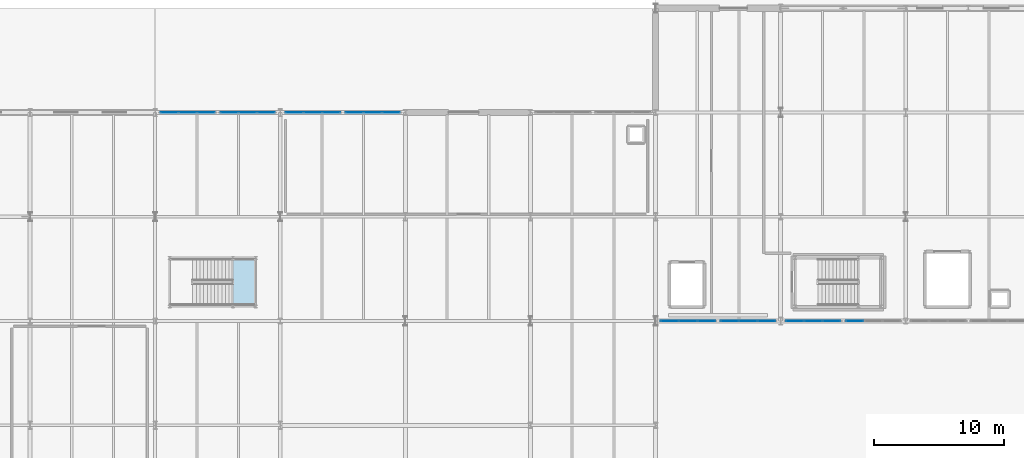
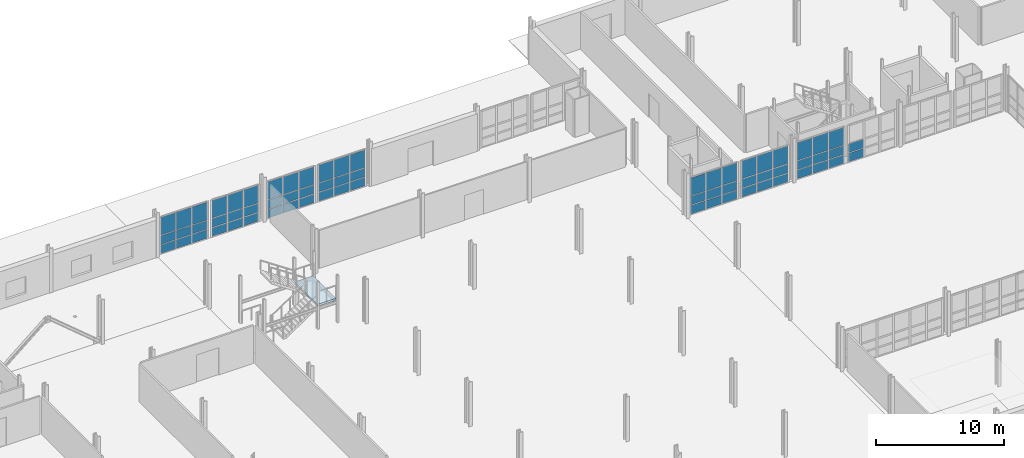
# One storey, part 50 of 78: 65 plates, 1 slab, 9 elements without a shape of their own.
"""IFC4 building model written with IfcOpenShell, lengths in metres."""

from ifc_helpers import new_model, si_unit, direction, frame, origin, origin_2d, place, context, subcontext, project, spatial, polyline, rectangle, outline, extrude, material, layer, layer_set, type_object, element, aggregate, save


model = new_model("IFC4")

# Units and contexts
model_context = context("Model", 3, precision=1e-05, world=origin(), true_north=direction((0.0, 1.0)))
body_context = subcontext(model_context, "Body", "Model", "MODEL_VIEW")
ifc_project = project(units=[si_unit("LENGTHUNIT", "METRE"), si_unit("AREAUNIT", "SQUARE_METRE"), si_unit("VOLUMEUNIT", "CUBIC_METRE"), si_unit("PLANEANGLEUNIT", "RADIAN"), si_unit("MASSUNIT", "GRAM", prefix="KILO")], contexts=[model_context])

# Site, building, storey
site_placement = place(None, origin())
site = spatial("IfcSite", under=ifc_project, at=site_placement, CompositionType="ELEMENT")
building_placement = place(site_placement, origin())
building = spatial("IfcBuilding", under=site, at=building_placement, Name="Alderhovde Museum", CompositionType="ELEMENT")
storey_placement = place(building_placement, origin())
storey = spatial("IfcBuildingStorey", under=building, at=storey_placement, Name="L00", CompositionType="ELEMENT", Elevation=0.0)

# Curtain wall, plates
ifc_material_1 = material(Name="Triple-Glazed Bronze-Anodised Curtain Wall", Category="glass")
ifc_layer_1 = layer(ifc_material_1, 0.179931640625)
ifc_layer_set_1 = layer_set([ifc_layer_1], Name="Triple-Glazed Bronze-Anodised Curtain Wall")
curtain_wall_type_1 = type_object("IfcCurtainWallType", Name="CW-UNIT-430x356", PredefinedType="USERDEFINED", material=ifc_layer_set_1)
curtain_wall_1_placement = place(storey_placement, origin())
curtain_wall_1 = element("IfcCurtainWall", 1, at=curtain_wall_1_placement, inside=storey, type_object=curtain_wall_type_1, Name="L00 Unitised Curtain Wall 12", ObjectType="UNITISED CURTAIN WALL", PredefinedType="USERDEFINED")
ifc_material_2 = material(Name="Triple-Glazed Low-E Laminated Glass", Category="glass")
ifc_layer_2 = layer(ifc_material_2, 0.028076171875)
ifc_layer_set_2 = layer_set([ifc_layer_2], Name="Triple-Glazed Low-E Laminated Glass")
plate_type_1 = type_object("IfcPlateType", Name="CWP-GLAZ-28", PredefinedType="CURTAIN_PANEL", material=ifc_layer_set_2)
plate_1_placement = place(storey_placement, frame((82.48291015625, 88.0, 0.06494140625), z_axis=(0.0, 0.0, 1.0), x_axis=(1.0, 0.0, 0.0)))
plate_1 = element("IfcPlate", 2, at=plate_1_placement, type_object=plate_type_1, Name="CW07 panel 1.1", PredefinedType="CURTAIN_PANEL", context=body_context, shape_type="SweptSolid", body=[
    extrude(rectangle(XDim=1.3359375, YDim=0.028076171875, at=origin_2d()), origin(), (0.0, 0.0, 1.0), 0.802490234375),
])
plate_2_placement = place(storey_placement, frame((82.48291015625, 88.0, 0.9326171875), z_axis=(0.0, 0.0, 1.0), x_axis=(1.0, 0.0, 0.0)))
plate_2 = element("IfcPlate", 3, at=plate_2_placement, type_object=plate_type_1, Name="CW07 panel 1.2", PredefinedType="CURTAIN_PANEL", context=body_context, shape_type="SweptSolid", body=[
    extrude(rectangle(XDim=1.3359375, YDim=0.028076171875, at=origin_2d()), origin(), (0.0, 0.0, 1.0), 0.81494140625),
])
plate_3_placement = place(storey_placement, frame((82.48291015625, 88.0, 1.8125), z_axis=(0.0, 0.0, 1.0), x_axis=(1.0, 0.0, 0.0)))
plate_3 = element("IfcPlate", 4, at=plate_3_placement, type_object=plate_type_1, Name="CW07 panel 1.3", PredefinedType="CURTAIN_PANEL", context=body_context, shape_type="SweptSolid", body=[
    extrude(rectangle(XDim=1.3359375, YDim=0.028076171875, at=origin_2d()), origin(), (0.0, 0.0, 1.0), 1.6826171875),
])
plate_4_placement = place(storey_placement, frame((83.89990234375, 88.0, 0.06494140625), z_axis=(0.0, 0.0, 1.0), x_axis=(1.0, 0.0, 0.0)))
plate_4 = element("IfcPlate", 5, at=plate_4_placement, type_object=plate_type_1, Name="CW07 panel 2.1", PredefinedType="CURTAIN_PANEL", context=body_context, shape_type="SweptSolid", body=[
    extrude(rectangle(XDim=1.368408203125, YDim=0.028076171875, at=origin_2d()), origin(), (0.0, 0.0, 1.0), 0.802490234375),
])
plate_5_placement = place(storey_placement, frame((83.89990234375, 88.0, 0.9326171875), z_axis=(0.0, 0.0, 1.0), x_axis=(1.0, 0.0, 0.0)))
plate_5 = element("IfcPlate", 6, at=plate_5_placement, type_object=plate_type_1, Name="CW07 panel 2.2", PredefinedType="CURTAIN_PANEL", context=body_context, shape_type="SweptSolid", body=[
    extrude(rectangle(XDim=1.368408203125, YDim=0.028076171875, at=origin_2d()), origin(), (0.0, 0.0, 1.0), 0.81494140625),
])
plate_6_placement = place(storey_placement, frame((83.89990234375, 88.0, 1.8125), z_axis=(0.0, 0.0, 1.0), x_axis=(1.0, 0.0, 0.0)))
plate_6 = element("IfcPlate", 7, at=plate_6_placement, type_object=plate_type_1, Name="CW07 panel 2.3", PredefinedType="CURTAIN_PANEL", context=body_context, shape_type="SweptSolid", body=[
    extrude(rectangle(XDim=1.368408203125, YDim=0.028076171875, at=origin_2d()), origin(), (0.0, 0.0, 1.0), 1.6826171875),
])
plate_7_placement = place(storey_placement, frame((85.317138671875, 88.0, 0.06494140625), z_axis=(0.0, 0.0, 1.0), x_axis=(1.0, 0.0, 0.0)))
plate_7 = element("IfcPlate", 8, at=plate_7_placement, type_object=plate_type_1, Name="CW07 panel 3.1", PredefinedType="CURTAIN_PANEL", context=body_context, shape_type="SweptSolid", body=[
    extrude(rectangle(XDim=1.3359375, YDim=0.028076171875, at=origin_2d()), origin(), (0.0, 0.0, 1.0), 0.802490234375),
])
plate_8_placement = place(storey_placement, frame((85.317138671875, 88.0, 0.9326171875), z_axis=(0.0, 0.0, 1.0), x_axis=(1.0, 0.0, 0.0)))
plate_8 = element("IfcPlate", 9, at=plate_8_placement, type_object=plate_type_1, Name="CW07 panel 3.2", PredefinedType="CURTAIN_PANEL", context=body_context, shape_type="SweptSolid", body=[
    extrude(rectangle(XDim=1.3359375, YDim=0.028076171875, at=origin_2d()), origin(), (0.0, 0.0, 1.0), 0.81494140625),
])
plate_9_placement = place(storey_placement, frame((85.317138671875, 88.0, 1.8125), z_axis=(0.0, 0.0, 1.0), x_axis=(1.0, 0.0, 0.0)))
plate_9 = element("IfcPlate", 10, at=plate_9_placement, type_object=plate_type_1, Name="CW07 panel 3.3", PredefinedType="CURTAIN_PANEL", context=body_context, shape_type="SweptSolid", body=[
    extrude(rectangle(XDim=1.3359375, YDim=0.028076171875, at=origin_2d()), origin(), (0.0, 0.0, 1.0), 1.6826171875),
])
aggregate(curtain_wall_1, [plate_1, plate_2, plate_3, plate_4, plate_5, plate_6, plate_7, plate_8, plate_9])

ifc_material_3 = material(Name="Triple-Glazed Bronze-Anodised Curtain Wall", Category="glass")
ifc_layer_3 = layer(ifc_material_3, 0.179931640625)
ifc_layer_set_3 = layer_set([ifc_layer_3], Name="Triple-Glazed Bronze-Anodised Curtain Wall")
curtain_wall_type_2 = type_object("IfcCurtainWallType", Name="CW-STIC-430x356", PredefinedType="USERDEFINED", material=ifc_layer_set_3)
curtain_wall_2_placement = place(storey_placement, origin())
curtain_wall_2 = element("IfcCurtainWall", 11, at=curtain_wall_2_placement, inside=storey, type_object=curtain_wall_type_2, Name="L00 Stick Curtain Wall 132", ObjectType="STICK CURTAIN WALL", PredefinedType="USERDEFINED")
plate_10_placement = place(storey_placement, frame((120.8828125, 72.0, 0.06494140625), z_axis=(0.0, 0.0, 1.0), x_axis=(1.0, 0.0, 0.0)))
plate_10 = element("IfcPlate", 12, at=plate_10_placement, type_object=plate_type_1, Name="CW31 panel 1.1", PredefinedType="CURTAIN_PANEL", context=body_context, shape_type="SweptSolid", body=[
    extrude(rectangle(XDim=1.3359375, YDim=0.028076171875, at=origin_2d()), origin(), (0.0, 0.0, 1.0), 0.802490234375),
])
plate_11_placement = place(storey_placement, frame((120.8828125, 72.0, 0.9326171875), z_axis=(0.0, 0.0, 1.0), x_axis=(1.0, 0.0, 0.0)))
plate_11 = element("IfcPlate", 13, at=plate_11_placement, type_object=plate_type_1, Name="CW31 panel 1.2", PredefinedType="CURTAIN_PANEL", context=body_context, shape_type="SweptSolid", body=[
    extrude(rectangle(XDim=1.3359375, YDim=0.028076171875, at=origin_2d()), origin(), (0.0, 0.0, 1.0), 0.81494140625),
])
plate_12_placement = place(storey_placement, frame((120.8828125, 72.0, 1.8125), z_axis=(0.0, 0.0, 1.0), x_axis=(1.0, 0.0, 0.0)))
plate_12 = element("IfcPlate", 14, at=plate_12_placement, type_object=plate_type_1, Name="CW31 panel 1.3", PredefinedType="CURTAIN_PANEL", context=body_context, shape_type="SweptSolid", body=[
    extrude(rectangle(XDim=1.3359375, YDim=0.028076171875, at=origin_2d()), origin(), (0.0, 0.0, 1.0), 1.6826171875),
])
plate_13_placement = place(storey_placement, frame((122.300048828125, 72.0, 0.06494140625), z_axis=(0.0, 0.0, 1.0), x_axis=(1.0, 0.0, 0.0)))
plate_13 = element("IfcPlate", 15, at=plate_13_placement, type_object=plate_type_1, Name="CW31 panel 2.1", PredefinedType="CURTAIN_PANEL", context=body_context, shape_type="SweptSolid", body=[
    extrude(rectangle(XDim=1.368408203125, YDim=0.028076171875, at=origin_2d()), origin(), (0.0, 0.0, 1.0), 0.802490234375),
])
plate_14_placement = place(storey_placement, frame((122.300048828125, 72.0, 0.9326171875), z_axis=(0.0, 0.0, 1.0), x_axis=(1.0, 0.0, 0.0)))
plate_14 = element("IfcPlate", 16, at=plate_14_placement, type_object=plate_type_1, Name="CW31 panel 2.2", PredefinedType="CURTAIN_PANEL", context=body_context, shape_type="SweptSolid", body=[
    extrude(rectangle(XDim=1.368408203125, YDim=0.028076171875, at=origin_2d()), origin(), (0.0, 0.0, 1.0), 0.81494140625),
])
plate_15_placement = place(storey_placement, frame((122.300048828125, 72.0, 1.8125), z_axis=(0.0, 0.0, 1.0), x_axis=(1.0, 0.0, 0.0)))
plate_15 = element("IfcPlate", 17, at=plate_15_placement, type_object=plate_type_1, Name="CW31 panel 2.3", PredefinedType="CURTAIN_PANEL", context=body_context, shape_type="SweptSolid", body=[
    extrude(rectangle(XDim=1.368408203125, YDim=0.028076171875, at=origin_2d()), origin(), (0.0, 0.0, 1.0), 1.6826171875),
])
plate_16_placement = place(storey_placement, frame((123.717041015625, 72.0, 0.06494140625), z_axis=(0.0, 0.0, 1.0), x_axis=(1.0, 0.0, 0.0)))
plate_16 = element("IfcPlate", 18, at=plate_16_placement, type_object=plate_type_1, Name="CW31 panel 3.1", PredefinedType="CURTAIN_PANEL", context=body_context, shape_type="SweptSolid", body=[
    extrude(rectangle(XDim=1.3359375, YDim=0.028076171875, at=origin_2d()), origin(), (0.0, 0.0, 1.0), 0.802490234375),
])
plate_17_placement = place(storey_placement, frame((123.717041015625, 72.0, 0.9326171875), z_axis=(0.0, 0.0, 1.0), x_axis=(1.0, 0.0, 0.0)))
plate_17 = element("IfcPlate", 19, at=plate_17_placement, type_object=plate_type_1, Name="CW31 panel 3.2", PredefinedType="CURTAIN_PANEL", context=body_context, shape_type="SweptSolid", body=[
    extrude(rectangle(XDim=1.3359375, YDim=0.028076171875, at=origin_2d()), origin(), (0.0, 0.0, 1.0), 0.81494140625),
])
plate_18_placement = place(storey_placement, frame((123.717041015625, 72.0, 1.8125), z_axis=(0.0, 0.0, 1.0), x_axis=(1.0, 0.0, 0.0)))
plate_18 = element("IfcPlate", 20, at=plate_18_placement, type_object=plate_type_1, Name="CW31 panel 3.3", PredefinedType="CURTAIN_PANEL", context=body_context, shape_type="SweptSolid", body=[
    extrude(rectangle(XDim=1.3359375, YDim=0.028076171875, at=origin_2d()), origin(), (0.0, 0.0, 1.0), 1.6826171875),
])
aggregate(curtain_wall_2, [plate_10, plate_11, plate_12, plate_13, plate_14, plate_15, plate_16, plate_17, plate_18])

curtain_wall_3_placement = place(storey_placement, origin())
curtain_wall_3 = element("IfcCurtainWall", 21, at=curtain_wall_3_placement, inside=storey, type_object=curtain_wall_type_1, Name="L00 Unitised Curtain Wall 13", ObjectType="UNITISED CURTAIN WALL", PredefinedType="USERDEFINED")
ifc_material_4 = material(Name="Triple-Glazed Low-E Laminated Glass", Category="glass")
ifc_layer_4 = layer(ifc_material_4, 0.035888671875)
ifc_layer_set_4 = layer_set([ifc_layer_4], Name="Triple-Glazed Low-E Laminated Glass")
plate_type_2 = type_object("IfcPlateType", Name="CWP-GLAZ-36", PredefinedType="CURTAIN_PANEL", material=ifc_layer_set_4)
plate_19_placement = place(storey_placement, frame((87.48291015625, 88.0, 0.06494140625), z_axis=(0.0, 0.0, 1.0), x_axis=(1.0, 0.0, 0.0)))
plate_19 = element("IfcPlate", 22, at=plate_19_placement, type_object=plate_type_2, Name="CW07 panel 1.1", PredefinedType="CURTAIN_PANEL", context=body_context, shape_type="SweptSolid", body=[
    extrude(rectangle(XDim=1.3359375, YDim=0.035888671875, at=origin_2d()), origin(), (0.0, 0.0, 1.0), 0.802490234375),
])
plate_20_placement = place(storey_placement, frame((87.48291015625, 88.0, 0.9326171875), z_axis=(0.0, 0.0, 1.0), x_axis=(1.0, 0.0, 0.0)))
plate_20 = element("IfcPlate", 23, at=plate_20_placement, type_object=plate_type_2, Name="CW07 panel 1.2", PredefinedType="CURTAIN_PANEL", context=body_context, shape_type="SweptSolid", body=[
    extrude(rectangle(XDim=1.3359375, YDim=0.035888671875, at=origin_2d()), origin(), (0.0, 0.0, 1.0), 0.81494140625),
])
plate_21_placement = place(storey_placement, frame((87.48291015625, 88.0, 1.8125), z_axis=(0.0, 0.0, 1.0), x_axis=(1.0, 0.0, 0.0)))
plate_21 = element("IfcPlate", 24, at=plate_21_placement, type_object=plate_type_2, Name="CW07 panel 1.3", PredefinedType="CURTAIN_PANEL", context=body_context, shape_type="SweptSolid", body=[
    extrude(rectangle(XDim=1.3359375, YDim=0.035888671875, at=origin_2d()), origin(), (0.0, 0.0, 1.0), 1.6826171875),
])
plate_22_placement = place(storey_placement, frame((88.89990234375, 88.0, 0.06494140625), z_axis=(0.0, 0.0, 1.0), x_axis=(1.0, 0.0, 0.0)))
plate_22 = element("IfcPlate", 25, at=plate_22_placement, type_object=plate_type_2, Name="CW07 panel 2.1", PredefinedType="CURTAIN_PANEL", context=body_context, shape_type="SweptSolid", body=[
    extrude(rectangle(XDim=1.368408203125, YDim=0.035888671875, at=origin_2d()), origin(), (0.0, 0.0, 1.0), 0.802490234375),
])
plate_23_placement = place(storey_placement, frame((88.89990234375, 88.0, 0.9326171875), z_axis=(0.0, 0.0, 1.0), x_axis=(1.0, 0.0, 0.0)))
plate_23 = element("IfcPlate", 26, at=plate_23_placement, type_object=plate_type_2, Name="CW07 panel 2.2", PredefinedType="CURTAIN_PANEL", context=body_context, shape_type="SweptSolid", body=[
    extrude(rectangle(XDim=1.368408203125, YDim=0.035888671875, at=origin_2d()), origin(), (0.0, 0.0, 1.0), 0.81494140625),
])
plate_24_placement = place(storey_placement, frame((88.89990234375, 88.0, 1.8125), z_axis=(0.0, 0.0, 1.0), x_axis=(1.0, 0.0, 0.0)))
plate_24 = element("IfcPlate", 27, at=plate_24_placement, type_object=plate_type_2, Name="CW07 panel 2.3", PredefinedType="CURTAIN_PANEL", context=body_context, shape_type="SweptSolid", body=[
    extrude(rectangle(XDim=1.368408203125, YDim=0.035888671875, at=origin_2d()), origin(), (0.0, 0.0, 1.0), 1.6826171875),
])
plate_25_placement = place(storey_placement, frame((90.317138671875, 88.0, 0.06494140625), z_axis=(0.0, 0.0, 1.0), x_axis=(1.0, 0.0, 0.0)))
plate_25 = element("IfcPlate", 28, at=plate_25_placement, type_object=plate_type_2, Name="CW07 panel 3.1", PredefinedType="CURTAIN_PANEL", context=body_context, shape_type="SweptSolid", body=[
    extrude(rectangle(XDim=1.3359375, YDim=0.035888671875, at=origin_2d()), origin(), (0.0, 0.0, 1.0), 0.802490234375),
])
plate_26_placement = place(storey_placement, frame((90.317138671875, 88.0, 0.9326171875), z_axis=(0.0, 0.0, 1.0), x_axis=(1.0, 0.0, 0.0)))
plate_26 = element("IfcPlate", 29, at=plate_26_placement, type_object=plate_type_2, Name="CW07 panel 3.2", PredefinedType="CURTAIN_PANEL", context=body_context, shape_type="SweptSolid", body=[
    extrude(rectangle(XDim=1.3359375, YDim=0.035888671875, at=origin_2d()), origin(), (0.0, 0.0, 1.0), 0.81494140625),
])
plate_27_placement = place(storey_placement, frame((90.317138671875, 88.0, 1.8125), z_axis=(0.0, 0.0, 1.0), x_axis=(1.0, 0.0, 0.0)))
plate_27 = element("IfcPlate", 30, at=plate_27_placement, type_object=plate_type_2, Name="CW07 panel 3.3", PredefinedType="CURTAIN_PANEL", context=body_context, shape_type="SweptSolid", body=[
    extrude(rectangle(XDim=1.3359375, YDim=0.035888671875, at=origin_2d()), origin(), (0.0, 0.0, 1.0), 1.6826171875),
])
aggregate(curtain_wall_3, [plate_19, plate_20, plate_21, plate_22, plate_23, plate_24, plate_25, plate_26, plate_27])

curtain_wall_4_placement = place(storey_placement, origin())
curtain_wall_4 = element("IfcCurtainWall", 31, at=curtain_wall_4_placement, inside=storey, type_object=curtain_wall_type_1, Name="L00 Unitised Curtain Wall 14", ObjectType="UNITISED CURTAIN WALL", PredefinedType="USERDEFINED")
ifc_material_5 = material(Name="Triple-Glazed Low-E Laminated Glass", Category="glass")
ifc_layer_5 = layer(ifc_material_5, 0.0439453125)
ifc_layer_set_5 = layer_set([ifc_layer_5], Name="Triple-Glazed Low-E Laminated Glass")
plate_type_3 = type_object("IfcPlateType", Name="CWP-GLAZ-44", PredefinedType="CURTAIN_PANEL", material=ifc_layer_set_5)
plate_28_placement = place(storey_placement, frame((92.0830078125, 88.0, 0.06494140625), z_axis=(0.0, 0.0, 1.0), x_axis=(1.0, 0.0, 0.0)))
plate_28 = element("IfcPlate", 32, at=plate_28_placement, type_object=plate_type_3, Name="CW07 panel 1.1", PredefinedType="CURTAIN_PANEL", context=body_context, shape_type="SweptSolid", body=[
    extrude(rectangle(XDim=1.3359375, YDim=0.0439453125, at=origin_2d()), origin(), (0.0, 0.0, 1.0), 0.802490234375),
])
plate_29_placement = place(storey_placement, frame((92.0830078125, 88.0, 0.9326171875), z_axis=(0.0, 0.0, 1.0), x_axis=(1.0, 0.0, 0.0)))
plate_29 = element("IfcPlate", 33, at=plate_29_placement, type_object=plate_type_3, Name="CW07 panel 1.2", PredefinedType="CURTAIN_PANEL", context=body_context, shape_type="SweptSolid", body=[
    extrude(rectangle(XDim=1.3359375, YDim=0.0439453125, at=origin_2d()), origin(), (0.0, 0.0, 1.0), 0.81494140625),
])
plate_30_placement = place(storey_placement, frame((92.0830078125, 88.0, 1.8125), z_axis=(0.0, 0.0, 1.0), x_axis=(1.0, 0.0, 0.0)))
plate_30 = element("IfcPlate", 34, at=plate_30_placement, type_object=plate_type_3, Name="CW07 panel 1.3", PredefinedType="CURTAIN_PANEL", context=body_context, shape_type="SweptSolid", body=[
    extrude(rectangle(XDim=1.3359375, YDim=0.0439453125, at=origin_2d()), origin(), (0.0, 0.0, 1.0), 1.6826171875),
])
plate_31_placement = place(storey_placement, frame((93.5, 88.0, 0.06494140625), z_axis=(0.0, 0.0, 1.0), x_axis=(1.0, 0.0, 0.0)))
plate_31 = element("IfcPlate", 35, at=plate_31_placement, type_object=plate_type_3, Name="CW07 panel 2.1", PredefinedType="CURTAIN_PANEL", context=body_context, shape_type="SweptSolid", body=[
    extrude(rectangle(XDim=1.368408203125, YDim=0.0439453125, at=origin_2d()), origin(), (0.0, 0.0, 1.0), 0.802490234375),
])
plate_32_placement = place(storey_placement, frame((93.5, 88.0, 0.9326171875), z_axis=(0.0, 0.0, 1.0), x_axis=(1.0, 0.0, 0.0)))
plate_32 = element("IfcPlate", 36, at=plate_32_placement, type_object=plate_type_3, Name="CW07 panel 2.2", PredefinedType="CURTAIN_PANEL", context=body_context, shape_type="SweptSolid", body=[
    extrude(rectangle(XDim=1.368408203125, YDim=0.0439453125, at=origin_2d()), origin(), (0.0, 0.0, 1.0), 0.81494140625),
])
plate_33_placement = place(storey_placement, frame((93.5, 88.0, 1.8125), z_axis=(0.0, 0.0, 1.0), x_axis=(1.0, 0.0, 0.0)))
plate_33 = element("IfcPlate", 37, at=plate_33_placement, type_object=plate_type_3, Name="CW07 panel 2.3", PredefinedType="CURTAIN_PANEL", context=body_context, shape_type="SweptSolid", body=[
    extrude(rectangle(XDim=1.368408203125, YDim=0.0439453125, at=origin_2d()), origin(), (0.0, 0.0, 1.0), 1.6826171875),
])
plate_34_placement = place(storey_placement, frame((94.9169921875, 88.0, 0.06494140625), z_axis=(0.0, 0.0, 1.0), x_axis=(1.0, 0.0, 0.0)))
plate_34 = element("IfcPlate", 38, at=plate_34_placement, type_object=plate_type_3, Name="CW07 panel 3.1", PredefinedType="CURTAIN_PANEL", context=body_context, shape_type="SweptSolid", body=[
    extrude(rectangle(XDim=1.3359375, YDim=0.0439453125, at=origin_2d()), origin(), (0.0, 0.0, 1.0), 0.802490234375),
])
plate_35_placement = place(storey_placement, frame((94.9169921875, 88.0, 0.9326171875), z_axis=(0.0, 0.0, 1.0), x_axis=(1.0, 0.0, 0.0)))
plate_35 = element("IfcPlate", 39, at=plate_35_placement, type_object=plate_type_3, Name="CW07 panel 3.2", PredefinedType="CURTAIN_PANEL", context=body_context, shape_type="SweptSolid", body=[
    extrude(rectangle(XDim=1.3359375, YDim=0.0439453125, at=origin_2d()), origin(), (0.0, 0.0, 1.0), 0.81494140625),
])
plate_36_placement = place(storey_placement, frame((94.9169921875, 88.0, 1.8125), z_axis=(0.0, 0.0, 1.0), x_axis=(1.0, 0.0, 0.0)))
plate_36 = element("IfcPlate", 40, at=plate_36_placement, type_object=plate_type_3, Name="CW07 panel 3.3", PredefinedType="CURTAIN_PANEL", context=body_context, shape_type="SweptSolid", body=[
    extrude(rectangle(XDim=1.3359375, YDim=0.0439453125, at=origin_2d()), origin(), (0.0, 0.0, 1.0), 1.6826171875),
])
aggregate(curtain_wall_4, [plate_28, plate_29, plate_30, plate_31, plate_32, plate_33, plate_34, plate_35, plate_36])

curtain_wall_5_placement = place(storey_placement, origin())
curtain_wall_5 = element("IfcCurtainWall", 41, at=curtain_wall_5_placement, inside=storey, type_object=curtain_wall_type_2, Name="L00 Stick Curtain Wall 134", ObjectType="STICK CURTAIN WALL", PredefinedType="USERDEFINED")
plate_37_placement = place(storey_placement, frame((125.8828125, 72.0, 0.06494140625), z_axis=(0.0, 0.0, 1.0), x_axis=(1.0, 0.0, 0.0)))
plate_37 = element("IfcPlate", 42, at=plate_37_placement, type_object=plate_type_3, Name="CW31 panel 1.1", PredefinedType="CURTAIN_PANEL", context=body_context, shape_type="SweptSolid", body=[
    extrude(rectangle(XDim=1.3359375, YDim=0.0439453125, at=origin_2d()), origin(), (0.0, 0.0, 1.0), 0.802490234375),
])
plate_38_placement = place(storey_placement, frame((125.8828125, 72.0, 0.9326171875), z_axis=(0.0, 0.0, 1.0), x_axis=(1.0, 0.0, 0.0)))
plate_38 = element("IfcPlate", 43, at=plate_38_placement, type_object=plate_type_3, Name="CW31 panel 1.2", PredefinedType="CURTAIN_PANEL", context=body_context, shape_type="SweptSolid", body=[
    extrude(rectangle(XDim=1.3359375, YDim=0.0439453125, at=origin_2d()), origin(), (0.0, 0.0, 1.0), 0.81494140625),
])
plate_39_placement = place(storey_placement, frame((125.8828125, 72.0, 1.8125), z_axis=(0.0, 0.0, 1.0), x_axis=(1.0, 0.0, 0.0)))
plate_39 = element("IfcPlate", 44, at=plate_39_placement, type_object=plate_type_3, Name="CW31 panel 1.3", PredefinedType="CURTAIN_PANEL", context=body_context, shape_type="SweptSolid", body=[
    extrude(rectangle(XDim=1.3359375, YDim=0.0439453125, at=origin_2d()), origin(), (0.0, 0.0, 1.0), 1.6826171875),
])
plate_40_placement = place(storey_placement, frame((127.300048828125, 72.0, 0.06494140625), z_axis=(0.0, 0.0, 1.0), x_axis=(1.0, 0.0, 0.0)))
plate_40 = element("IfcPlate", 45, at=plate_40_placement, type_object=plate_type_3, Name="CW31 panel 2.1", PredefinedType="CURTAIN_PANEL", context=body_context, shape_type="SweptSolid", body=[
    extrude(rectangle(XDim=1.368408203125, YDim=0.0439453125, at=origin_2d()), origin(), (0.0, 0.0, 1.0), 0.802490234375),
])
plate_41_placement = place(storey_placement, frame((127.300048828125, 72.0, 0.9326171875), z_axis=(0.0, 0.0, 1.0), x_axis=(1.0, 0.0, 0.0)))
plate_41 = element("IfcPlate", 46, at=plate_41_placement, type_object=plate_type_3, Name="CW31 panel 2.2", PredefinedType="CURTAIN_PANEL", context=body_context, shape_type="SweptSolid", body=[
    extrude(rectangle(XDim=1.368408203125, YDim=0.0439453125, at=origin_2d()), origin(), (0.0, 0.0, 1.0), 0.81494140625),
])
plate_42_placement = place(storey_placement, frame((127.300048828125, 72.0, 1.8125), z_axis=(0.0, 0.0, 1.0), x_axis=(1.0, 0.0, 0.0)))
plate_42 = element("IfcPlate", 47, at=plate_42_placement, type_object=plate_type_3, Name="CW31 panel 2.3", PredefinedType="CURTAIN_PANEL", context=body_context, shape_type="SweptSolid", body=[
    extrude(rectangle(XDim=1.368408203125, YDim=0.0439453125, at=origin_2d()), origin(), (0.0, 0.0, 1.0), 1.6826171875),
])
plate_43_placement = place(storey_placement, frame((128.717041015625, 72.0, 0.06494140625), z_axis=(0.0, 0.0, 1.0), x_axis=(1.0, 0.0, 0.0)))
plate_43 = element("IfcPlate", 48, at=plate_43_placement, type_object=plate_type_3, Name="CW31 panel 3.1", PredefinedType="CURTAIN_PANEL", context=body_context, shape_type="SweptSolid", body=[
    extrude(rectangle(XDim=1.3359375, YDim=0.0439453125, at=origin_2d()), origin(), (0.0, 0.0, 1.0), 0.802490234375),
])
plate_44_placement = place(storey_placement, frame((128.717041015625, 72.0, 0.9326171875), z_axis=(0.0, 0.0, 1.0), x_axis=(1.0, 0.0, 0.0)))
plate_44 = element("IfcPlate", 49, at=plate_44_placement, type_object=plate_type_3, Name="CW31 panel 3.2", PredefinedType="CURTAIN_PANEL", context=body_context, shape_type="SweptSolid", body=[
    extrude(rectangle(XDim=1.3359375, YDim=0.0439453125, at=origin_2d()), origin(), (0.0, 0.0, 1.0), 0.81494140625),
])
plate_45_placement = place(storey_placement, frame((128.717041015625, 72.0, 1.8125), z_axis=(0.0, 0.0, 1.0), x_axis=(1.0, 0.0, 0.0)))
plate_45 = element("IfcPlate", 50, at=plate_45_placement, type_object=plate_type_3, Name="CW31 panel 3.3", PredefinedType="CURTAIN_PANEL", context=body_context, shape_type="SweptSolid", body=[
    extrude(rectangle(XDim=1.3359375, YDim=0.0439453125, at=origin_2d()), origin(), (0.0, 0.0, 1.0), 1.6826171875),
])
aggregate(curtain_wall_5, [plate_37, plate_38, plate_39, plate_40, plate_41, plate_42, plate_43, plate_44, plate_45])

curtain_wall_6_placement = place(storey_placement, origin())
curtain_wall_6 = element("IfcCurtainWall", 51, at=curtain_wall_6_placement, inside=storey, type_object=curtain_wall_type_1, Name="L00 Unitised Curtain Wall 11", ObjectType="UNITISED CURTAIN WALL", PredefinedType="USERDEFINED")
ifc_material_6 = material(Name="Triple-Glazed Low-E Laminated Glass", Category="glass")
ifc_layer_6 = layer(ifc_material_6, 0.052001953125)
ifc_layer_set_6 = layer_set([ifc_layer_6], Name="Triple-Glazed Low-E Laminated Glass")
plate_type_4 = type_object("IfcPlateType", Name="CWP-GLAZ-52", PredefinedType="CURTAIN_PANEL", material=ifc_layer_set_6)
plate_46_placement = place(storey_placement, frame((77.8828125, 88.0, 0.06494140625), z_axis=(0.0, 0.0, 1.0), x_axis=(1.0, 0.0, 0.0)))
plate_46 = element("IfcPlate", 52, at=plate_46_placement, type_object=plate_type_4, Name="CW07 panel 1.1", PredefinedType="CURTAIN_PANEL", context=body_context, shape_type="SweptSolid", body=[
    extrude(rectangle(XDim=1.3359375, YDim=0.052001953125, at=origin_2d()), origin(), (0.0, 0.0, 1.0), 0.802490234375),
])
plate_47_placement = place(storey_placement, frame((77.8828125, 88.0, 0.9326171875), z_axis=(0.0, 0.0, 1.0), x_axis=(1.0, 0.0, 0.0)))
plate_47 = element("IfcPlate", 53, at=plate_47_placement, type_object=plate_type_4, Name="CW07 panel 1.2", PredefinedType="CURTAIN_PANEL", context=body_context, shape_type="SweptSolid", body=[
    extrude(rectangle(XDim=1.3359375, YDim=0.052001953125, at=origin_2d()), origin(), (0.0, 0.0, 1.0), 0.81494140625),
])
plate_48_placement = place(storey_placement, frame((77.8828125, 88.0, 1.8125), z_axis=(0.0, 0.0, 1.0), x_axis=(1.0, 0.0, 0.0)))
plate_48 = element("IfcPlate", 54, at=plate_48_placement, type_object=plate_type_4, Name="CW07 panel 1.3", PredefinedType="CURTAIN_PANEL", context=body_context, shape_type="SweptSolid", body=[
    extrude(rectangle(XDim=1.3359375, YDim=0.052001953125, at=origin_2d()), origin(), (0.0, 0.0, 1.0), 1.6826171875),
])
plate_49_placement = place(storey_placement, frame((79.300048828125, 88.0, 0.06494140625), z_axis=(0.0, 0.0, 1.0), x_axis=(1.0, 0.0, 0.0)))
plate_49 = element("IfcPlate", 55, at=plate_49_placement, type_object=plate_type_4, Name="CW07 panel 2.1", PredefinedType="CURTAIN_PANEL", context=body_context, shape_type="SweptSolid", body=[
    extrude(rectangle(XDim=1.368408203125, YDim=0.052001953125, at=origin_2d()), origin(), (0.0, 0.0, 1.0), 0.802490234375),
])
plate_50_placement = place(storey_placement, frame((79.300048828125, 88.0, 0.9326171875), z_axis=(0.0, 0.0, 1.0), x_axis=(1.0, 0.0, 0.0)))
plate_50 = element("IfcPlate", 56, at=plate_50_placement, type_object=plate_type_4, Name="CW07 panel 2.2", PredefinedType="CURTAIN_PANEL", context=body_context, shape_type="SweptSolid", body=[
    extrude(rectangle(XDim=1.368408203125, YDim=0.052001953125, at=origin_2d()), origin(), (0.0, 0.0, 1.0), 0.81494140625),
])
plate_51_placement = place(storey_placement, frame((79.300048828125, 88.0, 1.8125), z_axis=(0.0, 0.0, 1.0), x_axis=(1.0, 0.0, 0.0)))
plate_51 = element("IfcPlate", 57, at=plate_51_placement, type_object=plate_type_4, Name="CW07 panel 2.3", PredefinedType="CURTAIN_PANEL", context=body_context, shape_type="SweptSolid", body=[
    extrude(rectangle(XDim=1.368408203125, YDim=0.052001953125, at=origin_2d()), origin(), (0.0, 0.0, 1.0), 1.6826171875),
])
plate_52_placement = place(storey_placement, frame((80.717041015625, 88.0, 0.06494140625), z_axis=(0.0, 0.0, 1.0), x_axis=(1.0, 0.0, 0.0)))
plate_52 = element("IfcPlate", 58, at=plate_52_placement, type_object=plate_type_4, Name="CW07 panel 3.1", PredefinedType="CURTAIN_PANEL", context=body_context, shape_type="SweptSolid", body=[
    extrude(rectangle(XDim=1.3359375, YDim=0.052001953125, at=origin_2d()), origin(), (0.0, 0.0, 1.0), 0.802490234375),
])
plate_53_placement = place(storey_placement, frame((80.717041015625, 88.0, 0.9326171875), z_axis=(0.0, 0.0, 1.0), x_axis=(1.0, 0.0, 0.0)))
plate_53 = element("IfcPlate", 59, at=plate_53_placement, type_object=plate_type_4, Name="CW07 panel 3.2", PredefinedType="CURTAIN_PANEL", context=body_context, shape_type="SweptSolid", body=[
    extrude(rectangle(XDim=1.3359375, YDim=0.052001953125, at=origin_2d()), origin(), (0.0, 0.0, 1.0), 0.81494140625),
])
plate_54_placement = place(storey_placement, frame((80.717041015625, 88.0, 1.8125), z_axis=(0.0, 0.0, 1.0), x_axis=(1.0, 0.0, 0.0)))
plate_54 = element("IfcPlate", 60, at=plate_54_placement, type_object=plate_type_4, Name="CW07 panel 3.3", PredefinedType="CURTAIN_PANEL", context=body_context, shape_type="SweptSolid", body=[
    extrude(rectangle(XDim=1.3359375, YDim=0.052001953125, at=origin_2d()), origin(), (0.0, 0.0, 1.0), 1.6826171875),
])
aggregate(curtain_wall_6, [plate_46, plate_47, plate_48, plate_49, plate_50, plate_51, plate_52, plate_53, plate_54])

curtain_wall_7_placement = place(storey_placement, origin())
curtain_wall_7 = element("IfcCurtainWall", 61, at=curtain_wall_7_placement, inside=storey, type_object=curtain_wall_type_2, Name="L00 Stick Curtain Wall 131", ObjectType="STICK CURTAIN WALL", PredefinedType="USERDEFINED")
plate_55_placement = place(storey_placement, frame((116.282958984375, 72.0, 0.06494140625), z_axis=(0.0, 0.0, 1.0), x_axis=(1.0, 0.0, 0.0)))
plate_55 = element("IfcPlate", 62, at=plate_55_placement, type_object=plate_type_4, Name="CW31 panel 1.1", PredefinedType="CURTAIN_PANEL", context=body_context, shape_type="SweptSolid", body=[
    extrude(rectangle(XDim=1.3359375, YDim=0.052001953125, at=origin_2d()), origin(), (0.0, 0.0, 1.0), 0.802490234375),
])
plate_56_placement = place(storey_placement, frame((116.282958984375, 72.0, 0.9326171875), z_axis=(0.0, 0.0, 1.0), x_axis=(1.0, 0.0, 0.0)))
plate_56 = element("IfcPlate", 63, at=plate_56_placement, type_object=plate_type_4, Name="CW31 panel 1.2", PredefinedType="CURTAIN_PANEL", context=body_context, shape_type="SweptSolid", body=[
    extrude(rectangle(XDim=1.3359375, YDim=0.052001953125, at=origin_2d()), origin(), (0.0, 0.0, 1.0), 0.81494140625),
])
plate_57_placement = place(storey_placement, frame((116.282958984375, 72.0, 1.8125), z_axis=(0.0, 0.0, 1.0), x_axis=(1.0, 0.0, 0.0)))
plate_57 = element("IfcPlate", 64, at=plate_57_placement, type_object=plate_type_4, Name="CW31 panel 1.3", PredefinedType="CURTAIN_PANEL", context=body_context, shape_type="SweptSolid", body=[
    extrude(rectangle(XDim=1.3359375, YDim=0.052001953125, at=origin_2d()), origin(), (0.0, 0.0, 1.0), 1.6826171875),
])
plate_58_placement = place(storey_placement, frame((117.699951171875, 72.0, 0.06494140625), z_axis=(0.0, 0.0, 1.0), x_axis=(1.0, 0.0, 0.0)))
plate_58 = element("IfcPlate", 65, at=plate_58_placement, type_object=plate_type_4, Name="CW31 panel 2.1", PredefinedType="CURTAIN_PANEL", context=body_context, shape_type="SweptSolid", body=[
    extrude(rectangle(XDim=1.368408203125, YDim=0.052001953125, at=origin_2d()), origin(), (0.0, 0.0, 1.0), 0.802490234375),
])
plate_59_placement = place(storey_placement, frame((117.699951171875, 72.0, 0.9326171875), z_axis=(0.0, 0.0, 1.0), x_axis=(1.0, 0.0, 0.0)))
plate_59 = element("IfcPlate", 66, at=plate_59_placement, type_object=plate_type_4, Name="CW31 panel 2.2", PredefinedType="CURTAIN_PANEL", context=body_context, shape_type="SweptSolid", body=[
    extrude(rectangle(XDim=1.368408203125, YDim=0.052001953125, at=origin_2d()), origin(), (0.0, 0.0, 1.0), 0.81494140625),
])
plate_60_placement = place(storey_placement, frame((117.699951171875, 72.0, 1.8125), z_axis=(0.0, 0.0, 1.0), x_axis=(1.0, 0.0, 0.0)))
plate_60 = element("IfcPlate", 67, at=plate_60_placement, type_object=plate_type_4, Name="CW31 panel 2.3", PredefinedType="CURTAIN_PANEL", context=body_context, shape_type="SweptSolid", body=[
    extrude(rectangle(XDim=1.368408203125, YDim=0.052001953125, at=origin_2d()), origin(), (0.0, 0.0, 1.0), 1.6826171875),
])
plate_61_placement = place(storey_placement, frame((119.1171875, 72.0, 0.06494140625), z_axis=(0.0, 0.0, 1.0), x_axis=(1.0, 0.0, 0.0)))
plate_61 = element("IfcPlate", 68, at=plate_61_placement, type_object=plate_type_4, Name="CW31 panel 3.1", PredefinedType="CURTAIN_PANEL", context=body_context, shape_type="SweptSolid", body=[
    extrude(rectangle(XDim=1.3359375, YDim=0.052001953125, at=origin_2d()), origin(), (0.0, 0.0, 1.0), 0.802490234375),
])
plate_62_placement = place(storey_placement, frame((119.1171875, 72.0, 0.9326171875), z_axis=(0.0, 0.0, 1.0), x_axis=(1.0, 0.0, 0.0)))
plate_62 = element("IfcPlate", 69, at=plate_62_placement, type_object=plate_type_4, Name="CW31 panel 3.2", PredefinedType="CURTAIN_PANEL", context=body_context, shape_type="SweptSolid", body=[
    extrude(rectangle(XDim=1.3359375, YDim=0.052001953125, at=origin_2d()), origin(), (0.0, 0.0, 1.0), 0.81494140625),
])
plate_63_placement = place(storey_placement, frame((119.1171875, 72.0, 1.8125), z_axis=(0.0, 0.0, 1.0), x_axis=(1.0, 0.0, 0.0)))
plate_63 = element("IfcPlate", 70, at=plate_63_placement, type_object=plate_type_4, Name="CW31 panel 3.3", PredefinedType="CURTAIN_PANEL", context=body_context, shape_type="SweptSolid", body=[
    extrude(rectangle(XDim=1.3359375, YDim=0.052001953125, at=origin_2d()), origin(), (0.0, 0.0, 1.0), 1.6826171875),
])
aggregate(curtain_wall_7, [plate_55, plate_56, plate_57, plate_58, plate_59, plate_60, plate_61, plate_62, plate_63])

curtain_wall_8_placement = place(storey_placement, origin())
curtain_wall_8 = element("IfcCurtainWall", 71, at=curtain_wall_8_placement, inside=storey, type_object=curtain_wall_type_2, Name="L00 Stick Curtain Wall 135", ObjectType="STICK CURTAIN WALL", PredefinedType="USERDEFINED")
plate_64_placement = place(storey_placement, frame((130.48291015625, 72.0, 0.06494140625), z_axis=(0.0, 0.0, 1.0), x_axis=(1.0, 0.0, 0.0)))
plate_64 = element("IfcPlate", 72, at=plate_64_placement, type_object=plate_type_4, Name="CW31 panel 1.1", PredefinedType="CURTAIN_PANEL", context=body_context, shape_type="SweptSolid", body=[
    extrude(rectangle(XDim=1.3359375, YDim=0.052001953125, at=origin_2d()), origin(), (0.0, 0.0, 1.0), 0.802490234375),
])
plate_65_placement = place(storey_placement, frame((130.48291015625, 72.0, 0.9326171875), z_axis=(0.0, 0.0, 1.0), x_axis=(1.0, 0.0, 0.0)))
plate_65 = element("IfcPlate", 73, at=plate_65_placement, type_object=plate_type_4, Name="CW31 panel 1.2", PredefinedType="CURTAIN_PANEL", context=body_context, shape_type="SweptSolid", body=[
    extrude(rectangle(XDim=1.3359375, YDim=0.052001953125, at=origin_2d()), origin(), (0.0, 0.0, 1.0), 0.81494140625),
])
aggregate(curtain_wall_8, [plate_64, plate_65])

# Stair, slab
ifc_material_7 = material(Name="Concrete C35/45", Category="concrete")
stair_type = type_object("IfcStairType", Name="STR-1500-4500", PredefinedType="HALF_TURN_STAIR", material=ifc_material_7)
stair_placement = place(storey_placement, origin())
stair = element("IfcStair", 74, at=stair_placement, inside=storey, type_object=stair_type, Name="L00 Conservatory Grand Stair ST5", PredefinedType="HALF_TURN_STAIR")
ifc_material_8 = material(Name="Concrete C35/45", Category="concrete")
ifc_layer_7 = layer(ifc_material_8, 0.199951171875)
ifc_layer_set_7 = layer_set([ifc_layer_7], Name="Concrete C35/45")
slab_type = type_object("IfcSlabType", Name="SLB-LANDING-200", PredefinedType="LANDING", material=ifc_layer_set_7)
slab_placement = place(storey_placement, frame((0.0, 0.0, 2.050048828125)))
slab = element("IfcSlab", 75, at=slab_placement, type_object=slab_type, Name="ST5 landing 1", PredefinedType="LANDING", context=body_context, shape_type="SweptSolid", body=[
    extrude(outline(polyline([(82.760009765625, 73.199951171875), (84.43994140625, 73.199951171875), (84.43994140625, 76.760009765625), (82.760009765625, 76.760009765625), (82.760009765625, 73.199951171875)])), origin(), (0.0, 0.0, 1.0), 0.199951171875),
])
aggregate(stair, [slab])

save(model, "model.ifc")
